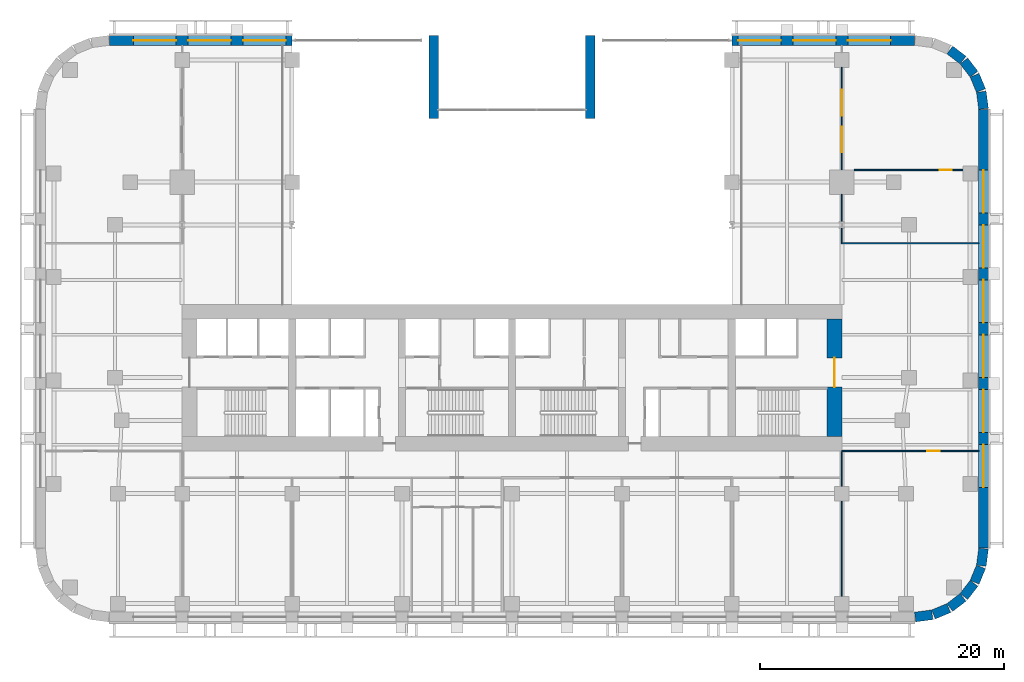
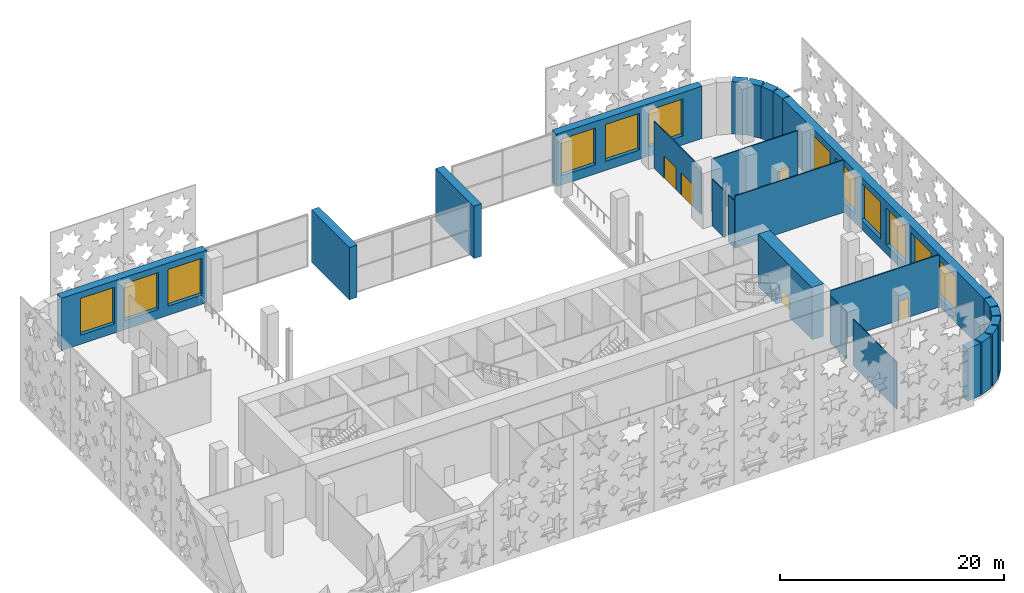
# One storey, part 8 of 17: 24 walls, 12 windows, 5 doors, 17 openings.
"""IFC4 building model written with IfcOpenShell, lengths in metres."""

from ifc_helpers import new_model, si_unit, direction, frame, frame_2d, origin, place, context, subcontext, project, spatial, rectangle, extrude, material, layer, layer_set, type_object, element, fill, save


model = new_model("IFC4")

# Units and contexts
model_context = context("Model", 3, precision=1e-05, world=origin(), true_north=direction((0.0, 1.0)))
body_context = subcontext(model_context, "Body", "Model", "MODEL_VIEW")
ifc_project = project(units=[si_unit("LENGTHUNIT", "METRE"), si_unit("AREAUNIT", "SQUARE_METRE"), si_unit("VOLUMEUNIT", "CUBIC_METRE"), si_unit("PLANEANGLEUNIT", "RADIAN"), si_unit("MASSUNIT", "GRAM", prefix="KILO")], contexts=[model_context])

# Site, building, storey
site_placement = place(None, origin())
site = spatial("IfcSite", under=ifc_project, at=site_placement, CompositionType="ELEMENT")
building_placement = place(site_placement, origin())
building = spatial("IfcBuilding", under=site, at=building_placement, Name="Zellij Exchange Tower", CompositionType="ELEMENT")
storey_placement = place(building_placement, frame((0.0, 0.0, 9.0)))
storey = spatial("IfcBuildingStorey", under=building, at=storey_placement, Name="L01", CompositionType="ELEMENT", Elevation=9.0)

# Wall, opening, door
ifc_material_1 = material(Name="Concrete C70/85", Category="concrete")
ifc_layer_1 = layer(ifc_material_1, 1.199951171875)
ifc_layer_set_1 = layer_set([ifc_layer_1], Name="Concrete C70/85")
wall_type_1 = type_object("IfcWallType", Name="CORE-SW 1200 C70/85", PredefinedType="SHEAR", material=ifc_layer_set_1)
wall_1_placement = place(storey_placement, frame((26.39990234375, -12.800048828125, 0.0), z_axis=(0.0, 0.0, 1.0), x_axis=(0.0, 1.0, 0.0)))
wall_1 = element("IfcWall", 1, at=wall_1_placement, inside=storey, type_object=wall_type_1, Name="Core shear wall end e L01", PredefinedType="SHEAR", context=body_context, shape_type="SweptSolid", body=[
    extrude(rectangle(XDim=9.60009765625, YDim=1.199951171875, at=frame_2d((4.800048828125, 0.0))), origin(), (0.0, 0.0, 1.0), 5.699951171875),
])
opening_1_placement = place(wall_1_placement, frame((4.011962890625, 0.0, 0.0)))
opening_1 = element("IfcOpeningElement", 2, at=opening_1_placement, cuts=wall_1, Name="Opening CA-04.26", PredefinedType="OPENING", context=body_context, shape_type="SweptSolid", body=[
    extrude(rectangle(XDim=2.39990234375, YDim=2.10009765625, at=frame_2d((1.199951171875, 1.050048828125))), frame((0.0, 0.61181640625, 0.0), z_axis=(0.0, -1.0, 0.0), x_axis=(1.0, 0.0, 0.0)), (0.0, 0.0, 1.0), 1.223876953125),
])
ifc_material_2 = material(Name="Hollow metal fire door")
door_type_1 = type_object("IfcDoorType", Name="CORE-D CE Core entrance door 2400x2100 20 MIN", OperationType="NOTDEFINED", PredefinedType="DOOR", material=ifc_material_2)
door_1_placement = place(opening_1_placement, origin())
door_1 = element("IfcDoor", 3, at=door_1_placement, inside=storey, type_object=door_type_1, Name="Core entrance door CA-04.26", OperationType="DOUBLE_DOOR_SINGLE_SWING", OverallHeight=2.10009765625, OverallWidth=2.39990234375, PredefinedType="DOOR", context=body_context, shape_type="SweptSolid", body=[
    extrude(rectangle(XDim=2.39990234375, YDim=2.10009765625, at=frame_2d((1.199951171875, 1.050048828125))), frame((0.0, 0.02490234375, 0.0), z_axis=(0.0, -1.0, 0.0), x_axis=(1.0, 0.0, 0.0)), (0.0, 0.0, 1.0), 0.050048828125),
])
fill(opening_1, door_1)

# Walls
ifc_material_3 = material(Name="Precast concrete C40/50", Category="concrete")
ifc_layer_2 = layer(ifc_material_3, 0.800048828125)
ifc_layer_set_2 = layer_set([ifc_layer_2], Name="Precast concrete C40/50")
wall_type_2 = type_object("IfcWallType", Name="ENV-EW1 Precast stone-piered wall 800", PredefinedType="SOLIDWALL", material=ifc_layer_set_2)
wall_2_placement = place(storey_placement, frame((32.999755859375, -27.5966796875, 0.0), z_axis=(0.0, 0.0, 1.0), x_axis=(0.99144603414, 0.130517283865, 0.0)))
element("IfcWall", 4, at=wall_2_placement, inside=storey, type_object=wall_type_2, Name="fac.L01.01", PredefinedType="SOLIDWALL", context=body_context, shape_type="SweptSolid", body=[
    extrude(rectangle(XDim=1.408447265625, YDim=0.800048828125, at=frame_2d((0.7041015625, 0.0))), origin(), (0.0, 0.0, 1.0), 5.699951171875),
])
wall_3_placement = place(storey_placement, frame((34.497314453125, -27.3857421875, 0.0), z_axis=(0.0, 0.0, 1.0), x_axis=(0.923847774587, 0.38276009378, 0.0)))
element("IfcWall", 5, at=wall_3_placement, inside=storey, type_object=wall_type_2, Name="fac.L01.02", PredefinedType="SOLIDWALL", context=body_context, shape_type="SweptSolid", body=[
    extrude(rectangle(XDim=1.35546875, YDim=0.800048828125, at=frame_2d((0.677734375, 0.0))), origin(), (0.0, 0.0, 1.0), 5.699951171875),
])
for number, where, z_axis, x_axis, name in (
    (6, (35.840087890625, -26.814697265625, 0.0), (0.0, 0.0, 1.0), (0.793272915452, 0.608866226366, 0.0), "fac.L01.03"),
    (7, (36.9892578125, -25.91552734375, 0.0), (0.0, 0.0, 1.0), (0.608866226366, 0.793272915452, 0.0), "fac.L01.04"),
):
    element("IfcWall", number, at=place(storey_placement, frame(where, z_axis=z_axis, x_axis=x_axis)), inside=storey, type_object=wall_type_2, Name=name, PredefinedType="SOLIDWALL", context=body_context, shape_type="SweptSolid", body=[
        extrude(rectangle(XDim=1.355712890625, YDim=0.800048828125, at=frame_2d((0.677734375, 0.0))), origin(), (0.0, 0.0, 1.0), 5.699951171875),
    ])
wall_4_placement = place(storey_placement, frame((37.866943359375, -24.74951171875, 0.0), z_axis=(0.0, 0.0, 1.0), x_axis=(0.38276009378, 0.923847774587, 0.0)))
element("IfcWall", 8, at=wall_4_placement, inside=storey, type_object=wall_type_2, Name="fac.L01.05", PredefinedType="SOLIDWALL", context=body_context, shape_type="SweptSolid", body=[
    extrude(rectangle(XDim=1.35546875, YDim=0.800048828125, at=frame_2d((0.677734375, 0.0))), origin(), (0.0, 0.0, 1.0), 5.699951171875),
])
wall_5_placement = place(storey_placement, frame((38.412841796875, -23.396240234375, 0.0), z_axis=(0.0, 0.0, 1.0), x_axis=(0.130517283865, 0.99144603414, 0.0)))
element("IfcWall", 9, at=wall_5_placement, inside=storey, type_object=wall_type_2, Name="fac.L01.06", PredefinedType="SOLIDWALL", context=body_context, shape_type="SweptSolid", body=[
    extrude(rectangle(XDim=1.408447265625, YDim=0.800048828125, at=frame_2d((0.7041015625, 0.0))), origin(), (0.0, 0.0, 1.0), 5.699951171875),
])

# Wall, openings, windows
wall_6_placement = place(storey_placement, frame((38.60009765625, -21.947509765625, 0.0), z_axis=(0.0, 0.0, 1.0), x_axis=(0.0, 1.0, 0.0)))
wall_6 = element("IfcWall", 10, at=wall_6_placement, inside=storey, type_object=wall_type_2, Name="fac.L01.07", PredefinedType="SOLIDWALL", context=body_context, shape_type="SweptSolid", body=[
    extrude(rectangle(XDim=35.89501953125, YDim=0.800048828125, at=frame_2d((17.947509765625, 0.0))), origin(), (0.0, 0.0, 1.0), 5.699951171875),
])
opening_2_placement = place(wall_6_placement, frame((4.9638671875, 0.0, 1.0)))
opening_2 = element("IfcOpeningElement", 11, at=opening_2_placement, cuts=wall_6, Name="Opening FP.15", PredefinedType="OPENING", context=body_context, shape_type="SweptSolid", body=[
    extrude(rectangle(XDim=3.5, YDim=4.0, at=frame_2d((1.75, 2.0))), frame((0.0, 0.412109375, 0.0), z_axis=(0.0, -1.0, 0.0), x_axis=(1.0, 0.0, 0.0)), (0.0, 0.0, 1.0), 0.823974609375),
])
opening_3_placement = place(wall_6_placement, frame((9.45751953125, 0.0, 1.0)))
opening_3 = element("IfcOpeningElement", 12, at=opening_3_placement, cuts=wall_6, Name="Opening FP.16", PredefinedType="OPENING", context=body_context, shape_type="SweptSolid", body=[
    extrude(rectangle(XDim=3.5, YDim=4.0, at=frame_2d((1.75, 2.0))), frame((0.0, 0.412109375, 0.0), z_axis=(0.0, -1.0, 0.0), x_axis=(1.0, 0.0, 0.0)), (0.0, 0.0, 1.0), 0.823974609375),
])
opening_4_placement = place(wall_6_placement, frame((13.950927734375, 0.0, 1.0)))
opening_4 = element("IfcOpeningElement", 13, at=opening_4_placement, cuts=wall_6, Name="Opening FP.17", PredefinedType="OPENING", context=body_context, shape_type="SweptSolid", body=[
    extrude(rectangle(XDim=3.5, YDim=4.0, at=frame_2d((1.75, 2.0))), frame((0.0, 0.412109375, 0.0), z_axis=(0.0, -1.0, 0.0), x_axis=(1.0, 0.0, 0.0)), (0.0, 0.0, 1.0), 0.823974609375),
])
opening_5_placement = place(wall_6_placement, frame((18.4443359375, 0.0, 1.0)))
opening_5 = element("IfcOpeningElement", 14, at=opening_5_placement, cuts=wall_6, Name="Opening FP.18", PredefinedType="OPENING", context=body_context, shape_type="SweptSolid", body=[
    extrude(rectangle(XDim=3.5, YDim=4.0, at=frame_2d((1.75, 2.0))), frame((0.0, 0.412109375, 0.0), z_axis=(0.0, -1.0, 0.0), x_axis=(1.0, 0.0, 0.0)), (0.0, 0.0, 1.0), 0.823974609375),
])
opening_6_placement = place(wall_6_placement, frame((22.937744140625, 0.0, 1.0)))
opening_6 = element("IfcOpeningElement", 15, at=opening_6_placement, cuts=wall_6, Name="Opening FP.19", PredefinedType="OPENING", context=body_context, shape_type="SweptSolid", body=[
    extrude(rectangle(XDim=3.5, YDim=4.0, at=frame_2d((1.75, 2.0))), frame((0.0, 0.412109375, 0.0), z_axis=(0.0, -1.0, 0.0), x_axis=(1.0, 0.0, 0.0)), (0.0, 0.0, 1.0), 0.823974609375),
])
opening_7_placement = place(wall_6_placement, frame((27.43115234375, 0.0, 1.0)))
opening_7 = element("IfcOpeningElement", 16, at=opening_7_placement, cuts=wall_6, Name="Opening FP.20", PredefinedType="OPENING", context=body_context, shape_type="SweptSolid", body=[
    extrude(rectangle(XDim=3.5, YDim=4.0, at=frame_2d((1.75, 2.0))), frame((0.0, 0.412109375, 0.0), z_axis=(0.0, -1.0, 0.0), x_axis=(1.0, 0.0, 0.0)), (0.0, 0.0, 1.0), 0.823974609375),
])
ifc_material_4 = material(Name="Aluminium frame with insulating glass", Category="aluminium")
window_type = type_object("IfcWindowType", Name="ENV-W2 Window 3500x4000", PartitioningType="SINGLE_PANEL", PredefinedType="WINDOW", material=ifc_material_4)
window_1_placement = place(opening_2_placement, origin())
window_1 = element("IfcWindow", 17, at=window_1_placement, inside=storey, type_object=window_type, Name="Window FP.15", OverallHeight=4.0, OverallWidth=3.5, PartitioningType="SINGLE_PANEL", PredefinedType="WINDOW", context=body_context, shape_type="SweptSolid", body=[
    extrude(rectangle(XDim=3.5, YDim=4.0, at=frame_2d((1.75, 2.0))), frame((0.0, 0.030029296875, 0.0), z_axis=(0.0, -1.0, 0.0), x_axis=(1.0, 0.0, 0.0)), (0.0, 0.0, 1.0), 0.06005859375),
])
fill(opening_2, window_1)
window_2_placement = place(opening_3_placement, origin())
window_2 = element("IfcWindow", 18, at=window_2_placement, inside=storey, type_object=window_type, Name="Window FP.16", OverallHeight=4.0, OverallWidth=3.5, PartitioningType="SINGLE_PANEL", PredefinedType="WINDOW", context=body_context, shape_type="SweptSolid", body=[
    extrude(rectangle(XDim=3.5, YDim=4.0, at=frame_2d((1.75, 2.0))), frame((0.0, 0.030029296875, 0.0), z_axis=(0.0, -1.0, 0.0), x_axis=(1.0, 0.0, 0.0)), (0.0, 0.0, 1.0), 0.06005859375),
])
fill(opening_3, window_2)
window_3_placement = place(opening_4_placement, origin())
window_3 = element("IfcWindow", 19, at=window_3_placement, inside=storey, type_object=window_type, Name="Window FP.17", OverallHeight=4.0, OverallWidth=3.5, PartitioningType="SINGLE_PANEL", PredefinedType="WINDOW", context=body_context, shape_type="SweptSolid", body=[
    extrude(rectangle(XDim=3.5, YDim=4.0, at=frame_2d((1.75, 2.0))), frame((0.0, 0.030029296875, 0.0), z_axis=(0.0, -1.0, 0.0), x_axis=(1.0, 0.0, 0.0)), (0.0, 0.0, 1.0), 0.06005859375),
])
fill(opening_4, window_3)
window_4_placement = place(opening_5_placement, origin())
window_4 = element("IfcWindow", 20, at=window_4_placement, inside=storey, type_object=window_type, Name="Window FP.18", OverallHeight=4.0, OverallWidth=3.5, PartitioningType="SINGLE_PANEL", PredefinedType="WINDOW", context=body_context, shape_type="SweptSolid", body=[
    extrude(rectangle(XDim=3.5, YDim=4.0, at=frame_2d((1.75, 2.0))), frame((0.0, 0.030029296875, 0.0), z_axis=(0.0, -1.0, 0.0), x_axis=(1.0, 0.0, 0.0)), (0.0, 0.0, 1.0), 0.06005859375),
])
fill(opening_5, window_4)
window_5_placement = place(opening_6_placement, origin())
window_5 = element("IfcWindow", 21, at=window_5_placement, inside=storey, type_object=window_type, Name="Window FP.19", OverallHeight=4.0, OverallWidth=3.5, PartitioningType="SINGLE_PANEL", PredefinedType="WINDOW", context=body_context, shape_type="SweptSolid", body=[
    extrude(rectangle(XDim=3.5, YDim=4.0, at=frame_2d((1.75, 2.0))), frame((0.0, 0.030029296875, 0.0), z_axis=(0.0, -1.0, 0.0), x_axis=(1.0, 0.0, 0.0)), (0.0, 0.0, 1.0), 0.06005859375),
])
fill(opening_6, window_5)
window_6_placement = place(opening_7_placement, origin())
window_6 = element("IfcWindow", 22, at=window_6_placement, inside=storey, type_object=window_type, Name="Window FP.20", OverallHeight=4.0, OverallWidth=3.5, PartitioningType="SINGLE_PANEL", PredefinedType="WINDOW", context=body_context, shape_type="SweptSolid", body=[
    extrude(rectangle(XDim=3.5, YDim=4.0, at=frame_2d((1.75, 2.0))), frame((0.0, 0.030029296875, 0.0), z_axis=(0.0, -1.0, 0.0), x_axis=(1.0, 0.0, 0.0)), (0.0, 0.0, 1.0), 0.06005859375),
])
fill(opening_7, window_6)

# Walls
wall_7_placement = place(storey_placement, frame((38.5966796875, 13.999755859375, 0.0), z_axis=(0.0, 0.0, 1.0), x_axis=(-0.130517283865, 0.99144603414, 0.0)))
element("IfcWall", 23, at=wall_7_placement, inside=storey, type_object=wall_type_2, Name="fac.L01.08", PredefinedType="SOLIDWALL", context=body_context, shape_type="SweptSolid", body=[
    extrude(rectangle(XDim=1.408447265625, YDim=0.800048828125, at=frame_2d((0.7041015625, 0.0))), origin(), (0.0, 0.0, 1.0), 5.699951171875),
])
wall_8_placement = place(storey_placement, frame((38.3857421875, 15.497314453125, 0.0), z_axis=(0.0, 0.0, 1.0), x_axis=(-0.38276009378, 0.923847774587, 0.0)))
element("IfcWall", 24, at=wall_8_placement, inside=storey, type_object=wall_type_2, Name="fac.L01.09", PredefinedType="SOLIDWALL", context=body_context, shape_type="SweptSolid", body=[
    extrude(rectangle(XDim=1.35546875, YDim=0.800048828125, at=frame_2d((0.677734375, 0.0))), origin(), (0.0, 0.0, 1.0), 5.699951171875),
])
for number, where, z_axis, x_axis, name in (
    (25, (37.814697265625, 16.840087890625, 0.0), (0.0, 0.0, 1.0), (-0.608866226366, 0.793272915452, 0.0), "fac.L01.10"),
    (26, (36.91552734375, 17.9892578125, 0.0), (0.0, 0.0, 1.0), (-0.793272915452, 0.608866226366, 0.0), "fac.L01.11"),
):
    element("IfcWall", number, at=place(storey_placement, frame(where, z_axis=z_axis, x_axis=x_axis)), inside=storey, type_object=wall_type_2, Name=name, PredefinedType="SOLIDWALL", context=body_context, shape_type="SweptSolid", body=[
        extrude(rectangle(XDim=1.355712890625, YDim=0.800048828125, at=frame_2d((0.677734375, 0.0))), origin(), (0.0, 0.0, 1.0), 5.699951171875),
    ])

# Wall, openings, windows
wall_9_placement = place(storey_placement, frame((32.947509765625, 19.60009765625, 0.0), z_axis=(0.0, 0.0, 1.0), x_axis=(-1.0, 0.0, 0.0)))
wall_9 = element("IfcWall", 27, at=wall_9_placement, inside=storey, type_object=wall_type_2, Name="fac.L01.14a", PredefinedType="SOLIDWALL", context=body_context, shape_type="SweptSolid", body=[
    extrude(rectangle(XDim=14.947509765625, YDim=0.800048828125, at=frame_2d((7.4736328125, 0.0))), origin(), (0.0, 0.0, 1.0), 5.699951171875),
])
opening_8_placement = place(wall_9_placement, frame((1.947509765625, 0.0, 1.0)))
opening_8 = element("IfcOpeningElement", 28, at=opening_8_placement, cuts=wall_9, Name="Opening FP.22", PredefinedType="OPENING", context=body_context, shape_type="SweptSolid", body=[
    extrude(rectangle(XDim=3.5, YDim=4.0, at=frame_2d((1.75, 2.0))), frame((0.0, 0.412109375, 0.0), z_axis=(0.0, -1.0, 0.0), x_axis=(1.0, 0.0, 0.0)), (0.0, 0.0, 1.0), 0.823974609375),
])
opening_9_placement = place(wall_9_placement, frame((6.447509765625, 0.0, 1.0)))
opening_9 = element("IfcOpeningElement", 29, at=opening_9_placement, cuts=wall_9, Name="Opening FP.24", PredefinedType="OPENING", context=body_context, shape_type="SweptSolid", body=[
    extrude(rectangle(XDim=3.5, YDim=4.0, at=frame_2d((1.75, 2.0))), frame((0.0, 0.412109375, 0.0), z_axis=(0.0, -1.0, 0.0), x_axis=(1.0, 0.0, 0.0)), (0.0, 0.0, 1.0), 0.823974609375),
])
opening_10_placement = place(wall_9_placement, frame((10.947509765625, 0.0, 1.0)))
opening_10 = element("IfcOpeningElement", 30, at=opening_10_placement, cuts=wall_9, Name="Opening FP.26", PredefinedType="OPENING", context=body_context, shape_type="SweptSolid", body=[
    extrude(rectangle(XDim=3.5, YDim=4.0, at=frame_2d((1.75, 2.0))), frame((0.0, 0.412109375, 0.0), z_axis=(0.0, -1.0, 0.0), x_axis=(1.0, 0.0, 0.0)), (0.0, 0.0, 1.0), 0.823974609375),
])
window_7_placement = place(opening_8_placement, origin())
window_7 = element("IfcWindow", 31, at=window_7_placement, inside=storey, type_object=window_type, Name="Window FP.22", OverallHeight=4.0, OverallWidth=3.5, PartitioningType="SINGLE_PANEL", PredefinedType="WINDOW", context=body_context, shape_type="SweptSolid", body=[
    extrude(rectangle(XDim=3.5, YDim=4.0, at=frame_2d((1.75, 2.0))), frame((0.0, 0.030029296875, 0.0), z_axis=(0.0, -1.0, 0.0), x_axis=(1.0, 0.0, 0.0)), (0.0, 0.0, 1.0), 0.06005859375),
])
fill(opening_8, window_7)
window_8_placement = place(opening_9_placement, origin())
window_8 = element("IfcWindow", 32, at=window_8_placement, inside=storey, type_object=window_type, Name="Window FP.24", OverallHeight=4.0, OverallWidth=3.5, PartitioningType="SINGLE_PANEL", PredefinedType="WINDOW", context=body_context, shape_type="SweptSolid", body=[
    extrude(rectangle(XDim=3.5, YDim=4.0, at=frame_2d((1.75, 2.0))), frame((0.0, 0.030029296875, 0.0), z_axis=(0.0, -1.0, 0.0), x_axis=(1.0, 0.0, 0.0)), (0.0, 0.0, 1.0), 0.06005859375),
])
fill(opening_9, window_8)
window_9_placement = place(opening_10_placement, origin())
window_9 = element("IfcWindow", 33, at=window_9_placement, inside=storey, type_object=window_type, Name="Window FP.26", OverallHeight=4.0, OverallWidth=3.5, PartitioningType="SINGLE_PANEL", PredefinedType="WINDOW", context=body_context, shape_type="SweptSolid", body=[
    extrude(rectangle(XDim=3.5, YDim=4.0, at=frame_2d((1.75, 2.0))), frame((0.0, 0.030029296875, 0.0), z_axis=(0.0, -1.0, 0.0), x_axis=(1.0, 0.0, 0.0)), (0.0, 0.0, 1.0), 0.06005859375),
])
fill(opening_10, window_9)

wall_10_placement = place(storey_placement, frame((-18.0, 19.60009765625, 0.0), z_axis=(0.0, 0.0, 1.0), x_axis=(-1.0, 0.0, 0.0)))
wall_10 = element("IfcWall", 34, at=wall_10_placement, inside=storey, type_object=wall_type_2, Name="fac.L01.14d", PredefinedType="SOLIDWALL", context=body_context, shape_type="SweptSolid", body=[
    extrude(rectangle(XDim=14.947509765625, YDim=0.800048828125, at=frame_2d((7.4736328125, 0.0))), origin(), (0.0, 0.0, 1.0), 5.699951171875),
])
opening_11_placement = place(wall_10_placement, frame((0.5, 0.0, 1.0)))
opening_11 = element("IfcOpeningElement", 35, at=opening_11_placement, cuts=wall_10, Name="Opening FP.21", PredefinedType="OPENING", context=body_context, shape_type="SweptSolid", body=[
    extrude(rectangle(XDim=3.5, YDim=4.0, at=frame_2d((1.75, 2.0))), frame((0.0, 0.412109375, 0.0), z_axis=(0.0, -1.0, 0.0), x_axis=(1.0, 0.0, 0.0)), (0.0, 0.0, 1.0), 0.823974609375),
])
opening_12_placement = place(wall_10_placement, frame((5.0, 0.0, 1.0)))
opening_12 = element("IfcOpeningElement", 36, at=opening_12_placement, cuts=wall_10, Name="Opening FP.23", PredefinedType="OPENING", context=body_context, shape_type="SweptSolid", body=[
    extrude(rectangle(XDim=3.5, YDim=4.0, at=frame_2d((1.75, 2.0))), frame((0.0, 0.412109375, 0.0), z_axis=(0.0, -1.0, 0.0), x_axis=(1.0, 0.0, 0.0)), (0.0, 0.0, 1.0), 0.823974609375),
])
opening_13_placement = place(wall_10_placement, frame((9.5, 0.0, 1.0)))
opening_13 = element("IfcOpeningElement", 37, at=opening_13_placement, cuts=wall_10, Name="Opening FP.25", PredefinedType="OPENING", context=body_context, shape_type="SweptSolid", body=[
    extrude(rectangle(XDim=3.5, YDim=4.0, at=frame_2d((1.75, 2.0))), frame((0.0, 0.412109375, 0.0), z_axis=(0.0, -1.0, 0.0), x_axis=(1.0, 0.0, 0.0)), (0.0, 0.0, 1.0), 0.823974609375),
])
window_10_placement = place(opening_11_placement, origin())
window_10 = element("IfcWindow", 38, at=window_10_placement, inside=storey, type_object=window_type, Name="Window FP.21", OverallHeight=4.0, OverallWidth=3.5, PartitioningType="SINGLE_PANEL", PredefinedType="WINDOW", context=body_context, shape_type="SweptSolid", body=[
    extrude(rectangle(XDim=3.5, YDim=4.0, at=frame_2d((1.75, 2.0))), frame((0.0, 0.030029296875, 0.0), z_axis=(0.0, -1.0, 0.0), x_axis=(1.0, 0.0, 0.0)), (0.0, 0.0, 1.0), 0.06005859375),
])
fill(opening_11, window_10)
window_11_placement = place(opening_12_placement, origin())
window_11 = element("IfcWindow", 39, at=window_11_placement, inside=storey, type_object=window_type, Name="Window FP.23", OverallHeight=4.0, OverallWidth=3.5, PartitioningType="SINGLE_PANEL", PredefinedType="WINDOW", context=body_context, shape_type="SweptSolid", body=[
    extrude(rectangle(XDim=3.5, YDim=4.0, at=frame_2d((1.75, 2.0))), frame((0.0, 0.030029296875, 0.0), z_axis=(0.0, -1.0, 0.0), x_axis=(1.0, 0.0, 0.0)), (0.0, 0.0, 1.0), 0.06005859375),
])
fill(opening_12, window_11)
window_12_placement = place(opening_13_placement, origin())
window_12 = element("IfcWindow", 40, at=window_12_placement, inside=storey, type_object=window_type, Name="Window FP.25", OverallHeight=4.0, OverallWidth=3.5, PartitioningType="SINGLE_PANEL", PredefinedType="WINDOW", context=body_context, shape_type="SweptSolid", body=[
    extrude(rectangle(XDim=3.5, YDim=4.0, at=frame_2d((1.75, 2.0))), frame((0.0, 0.030029296875, 0.0), z_axis=(0.0, -1.0, 0.0), x_axis=(1.0, 0.0, 0.0)), (0.0, 0.0, 1.0), 0.06005859375),
])
fill(opening_13, window_12)

# Walls
for number, where, z_axis, x_axis, name in (
    (41, (-6.39990234375, 13.199951171875, 0.0), (0.0, 0.0, 1.0), (0.0, 1.0, 0.0), "fac.L01.portal.revealW"),
    (42, (6.39990234375, 13.199951171875, 0.0), (0.0, 0.0, 1.0), (0.0, 1.0, 0.0), "fac.L01.portal.revealE"),
):
    element("IfcWall", number, at=place(storey_placement, frame(where, z_axis=z_axis, x_axis=x_axis)), inside=storey, type_object=wall_type_2, Name=name, PredefinedType="SOLIDWALL", context=body_context, shape_type="SweptSolid", body=[
        extrude(rectangle(XDim=6.800048828125, YDim=0.800048828125, at=frame_2d((3.39990234375, 0.0))), origin(), (0.0, 0.0, 1.0), 5.699951171875),
    ])
ifc_material_5 = material(Name="Gypsum board partition on steel studs", Category="steel")
ifc_layer_3 = layer(ifc_material_5, 0.10009765625)
ifc_layer_set_3 = layer_set([ifc_layer_3], Name="Gypsum board partition on steel studs")
wall_type_3 = type_object("IfcWallType", Name="FIT-PARTITION-100", PredefinedType="PARTITIONING", material=ifc_layer_set_3)
wall_11_placement = place(storey_placement, frame((27.0, -25.89990234375, 0.0), z_axis=(0.0, 0.0, 1.0), x_axis=(0.0, 1.0, 0.0)))
element("IfcWall", 43, at=wall_11_placement, inside=storey, type_object=wall_type_3, Name="FIT-PARTITION-100 013", PredefinedType="PARTITIONING", context=body_context, shape_type="SweptSolid", body=[
    extrude(rectangle(XDim=7.7998046875, YDim=0.10009765625, at=frame_2d((3.89990234375, 0.0))), origin(), (0.0, 0.0, 1.0), 5.087890625),
])
wall_12_placement = place(storey_placement, frame((27.0, -16.89990234375, 0.0), z_axis=(0.0, 0.0, 1.0), x_axis=(0.0, 1.0, 0.0)))
element("IfcWall", 44, at=wall_12_placement, inside=storey, type_object=wall_type_3, Name="FIT-PARTITION-100 014", PredefinedType="PARTITIONING", context=body_context, shape_type="SweptSolid", body=[
    extrude(rectangle(XDim=2.849853515625, YDim=0.10009765625, at=frame_2d((1.4248046875, 0.0))), origin(), (0.0, 0.0, 1.0), 5.087890625),
])

# Wall, opening, door
wall_13_placement = place(storey_placement, frame((27.0, -14.0, 0.0), z_axis=(0.0, 0.0, 1.0), x_axis=(1.0, 0.0, 0.0)))
wall_13 = element("IfcWall", 45, at=wall_13_placement, inside=storey, type_object=wall_type_3, Name="FIT-PARTITION-100 021", PredefinedType="PARTITIONING", context=body_context, shape_type="SweptSolid", body=[
    extrude(rectangle(XDim=11.199951171875, YDim=0.10009765625, at=frame_2d((5.60009765625, 0.0))), origin(), (0.0, 0.0, 1.0), 5.699951171875),
])
opening_14_placement = place(wall_13_placement, frame((7.0, 0.0, 0.0)))
opening_14 = element("IfcOpeningElement", 46, at=opening_14_placement, cuts=wall_13, Name="Opening P1.11", PredefinedType="OPENING", context=body_context, shape_type="SweptSolid", body=[
    extrude(rectangle(XDim=1.0, YDim=2.10009765625, at=frame_2d((0.5, 1.050048828125))), frame((0.0, 0.06201171875, 0.0), z_axis=(0.0, -1.0, 0.0), x_axis=(1.0, 0.0, 0.0)), (0.0, 0.0, 1.0), 0.1240234375),
])
ifc_material_6 = material(Name="Timber door set", Category="wood")
door_type_2 = type_object("IfcDoorType", Name="FIT-D2-WIDE-1000X2100", OperationType="SINGLE_SWING_LEFT", PredefinedType="DOOR", material=ifc_material_6)
door_2_placement = place(opening_14_placement, origin())
door_2 = element("IfcDoor", 47, at=door_2_placement, inside=storey, type_object=door_type_2, Name="Door P1.11", OperationType="SINGLE_SWING_LEFT", OverallHeight=2.10009765625, OverallWidth=1.0, PredefinedType="DOOR", context=body_context, shape_type="SweptSolid", body=[
    extrude(rectangle(XDim=1.0, YDim=2.10009765625, at=frame_2d((0.5, 1.050048828125))), frame((0.0, 0.02490234375, 0.0), z_axis=(0.0, -1.0, 0.0), x_axis=(1.0, 0.0, 0.0)), (0.0, 0.0, 1.0), 0.050048828125),
])
fill(opening_14, door_2)

# Walls
wall_14_placement = place(storey_placement, frame((26.949951171875, 3.0, 0.0), z_axis=(0.0, 0.0, 1.0), x_axis=(1.0, 0.0, 0.0)))
element("IfcWall", 48, at=wall_14_placement, inside=storey, type_object=wall_type_3, Name="FIT-PARTITION-100 027", PredefinedType="PARTITIONING", context=body_context, shape_type="SweptSolid", body=[
    extrude(rectangle(XDim=11.25, YDim=0.10009765625, at=frame_2d((5.625, 0.0))), origin(), (0.0, 0.0, 1.0), 5.699951171875),
])
wall_15_placement = place(storey_placement, frame((27.0, 3.050048828125, 0.0), z_axis=(0.0, 0.0, 1.0), x_axis=(0.0, 1.0, 0.0)))
element("IfcWall", 49, at=wall_15_placement, inside=storey, type_object=wall_type_3, Name="FIT-PARTITION-100 028", PredefinedType="PARTITIONING", context=body_context, shape_type="SweptSolid", body=[
    extrude(rectangle(XDim=1.16552734375, YDim=0.10009765625, at=frame_2d((0.582763671875, 0.0))), origin(), (0.0, 0.0, 1.0), 5.087890625),
])
wall_16_placement = place(storey_placement, frame((27.0, 4.784423828125, 0.0), z_axis=(0.0, 0.0, 1.0), x_axis=(0.0, 1.0, 0.0)))
element("IfcWall", 50, at=wall_16_placement, inside=storey, type_object=wall_type_3, Name="FIT-PARTITION-100 029", PredefinedType="PARTITIONING", context=body_context, shape_type="SweptSolid", body=[
    extrude(rectangle(XDim=2.215576171875, YDim=0.10009765625, at=frame_2d((1.10791015625, 0.0))), origin(), (0.0, 0.0, 1.0), 5.087890625),
])

# Wall, openings, doors
wall_17_placement = place(storey_placement, frame((27.0, 9.0, 0.0), z_axis=(0.0, 0.0, 1.0), x_axis=(0.0, 1.0, 0.0)))
wall_17 = element("IfcWall", 51, at=wall_17_placement, inside=storey, type_object=wall_type_3, Name="FIT-PARTITION-100 030", PredefinedType="PARTITIONING", context=body_context, shape_type="SweptSolid", body=[
    extrude(rectangle(XDim=8.39990234375, YDim=0.10009765625, at=frame_2d((4.199951171875, 0.0))), origin(), (0.0, 0.0, 1.0), 5.087890625),
])
opening_15_placement = place(wall_17_placement, frame((1.449951171875, 0.0, 0.0)))
opening_15 = element("IfcOpeningElement", 52, at=opening_15_placement, cuts=wall_17, Name="Opening P1.14", PredefinedType="OPENING", context=body_context, shape_type="SweptSolid", body=[
    extrude(rectangle(XDim=2.10009765625, YDim=2.39990234375, at=frame_2d((1.050048828125, 1.199951171875))), frame((0.0, 0.06201171875, 0.0), z_axis=(0.0, -1.0, 0.0), x_axis=(1.0, 0.0, 0.0)), (0.0, 0.0, 1.0), 0.1240234375),
])
opening_16_placement = place(wall_17_placement, frame((4.449951171875, 0.0, 0.0)))
opening_16 = element("IfcOpeningElement", 53, at=opening_16_placement, cuts=wall_17, Name="Opening P1.16", PredefinedType="OPENING", context=body_context, shape_type="SweptSolid", body=[
    extrude(rectangle(XDim=2.10009765625, YDim=2.39990234375, at=frame_2d((1.050048828125, 1.199951171875))), frame((0.0, 0.06201171875, 0.0), z_axis=(0.0, -1.0, 0.0), x_axis=(1.0, 0.0, 0.0)), (0.0, 0.0, 1.0), 0.1240234375),
])
door_type_3 = type_object("IfcDoorType", Name="FIT-D7-ASSEMBLY-2100X2400", OperationType="DOUBLE_DOOR_SINGLE_SWING", PredefinedType="DOOR", material=ifc_material_6)
door_3_placement = place(opening_15_placement, origin())
door_3 = element("IfcDoor", 54, at=door_3_placement, inside=storey, type_object=door_type_3, Name="Door P1.14", OperationType="DOUBLE_DOOR_SINGLE_SWING", OverallHeight=2.39990234375, OverallWidth=2.10009765625, PredefinedType="DOOR", context=body_context, shape_type="SweptSolid", body=[
    extrude(rectangle(XDim=2.10009765625, YDim=2.39990234375, at=frame_2d((1.050048828125, 1.199951171875))), frame((0.0, 0.02490234375, 0.0), z_axis=(0.0, -1.0, 0.0), x_axis=(1.0, 0.0, 0.0)), (0.0, 0.0, 1.0), 0.050048828125),
])
fill(opening_15, door_3)
door_4_placement = place(opening_16_placement, origin())
door_4 = element("IfcDoor", 55, at=door_4_placement, inside=storey, type_object=door_type_3, Name="Door P1.16", OperationType="DOUBLE_DOOR_SINGLE_SWING", OverallHeight=2.39990234375, OverallWidth=2.10009765625, PredefinedType="DOOR", context=body_context, shape_type="SweptSolid", body=[
    extrude(rectangle(XDim=2.10009765625, YDim=2.39990234375, at=frame_2d((1.050048828125, 1.199951171875))), frame((0.0, 0.02490234375, 0.0), z_axis=(0.0, -1.0, 0.0), x_axis=(1.0, 0.0, 0.0)), (0.0, 0.0, 1.0), 0.050048828125),
])
fill(opening_16, door_4)

# Wall, opening, door
wall_18_placement = place(storey_placement, frame((28.0, 9.0, 0.0), z_axis=(0.0, 0.0, 1.0), x_axis=(1.0, 0.0, 0.0)))
wall_18 = element("IfcWall", 56, at=wall_18_placement, inside=storey, type_object=wall_type_3, Name="FIT-PARTITION-100 032", PredefinedType="PARTITIONING", context=body_context, shape_type="SweptSolid", body=[
    extrude(rectangle(XDim=8.89990234375, YDim=0.10009765625, at=frame_2d((4.449951171875, 0.0))), origin(), (0.0, 0.0, 1.0), 5.699951171875),
])
opening_17_placement = place(wall_18_placement, frame((7.0, 0.0, 0.0)))
opening_17 = element("IfcOpeningElement", 57, at=opening_17_placement, cuts=wall_18, Name="Opening P1.12", PredefinedType="OPENING", context=body_context, shape_type="SweptSolid", body=[
    extrude(rectangle(XDim=1.0, YDim=2.10009765625, at=frame_2d((0.5, 1.050048828125))), frame((0.0, 0.06201171875, 0.0), z_axis=(0.0, -1.0, 0.0), x_axis=(1.0, 0.0, 0.0)), (0.0, 0.0, 1.0), 0.1240234375),
])
door_5_placement = place(opening_17_placement, origin())
door_5 = element("IfcDoor", 58, at=door_5_placement, inside=storey, type_object=door_type_2, Name="Door P1.12", OperationType="SINGLE_SWING_LEFT", OverallHeight=2.10009765625, OverallWidth=1.0, PredefinedType="DOOR", context=body_context, shape_type="SweptSolid", body=[
    extrude(rectangle(XDim=1.0, YDim=2.10009765625, at=frame_2d((0.5, 1.050048828125))), frame((0.0, 0.02490234375, 0.0), z_axis=(0.0, -1.0, 0.0), x_axis=(1.0, 0.0, 0.0)), (0.0, 0.0, 1.0), 0.050048828125),
])
fill(opening_17, door_5)

save(model, "model.ifc")
